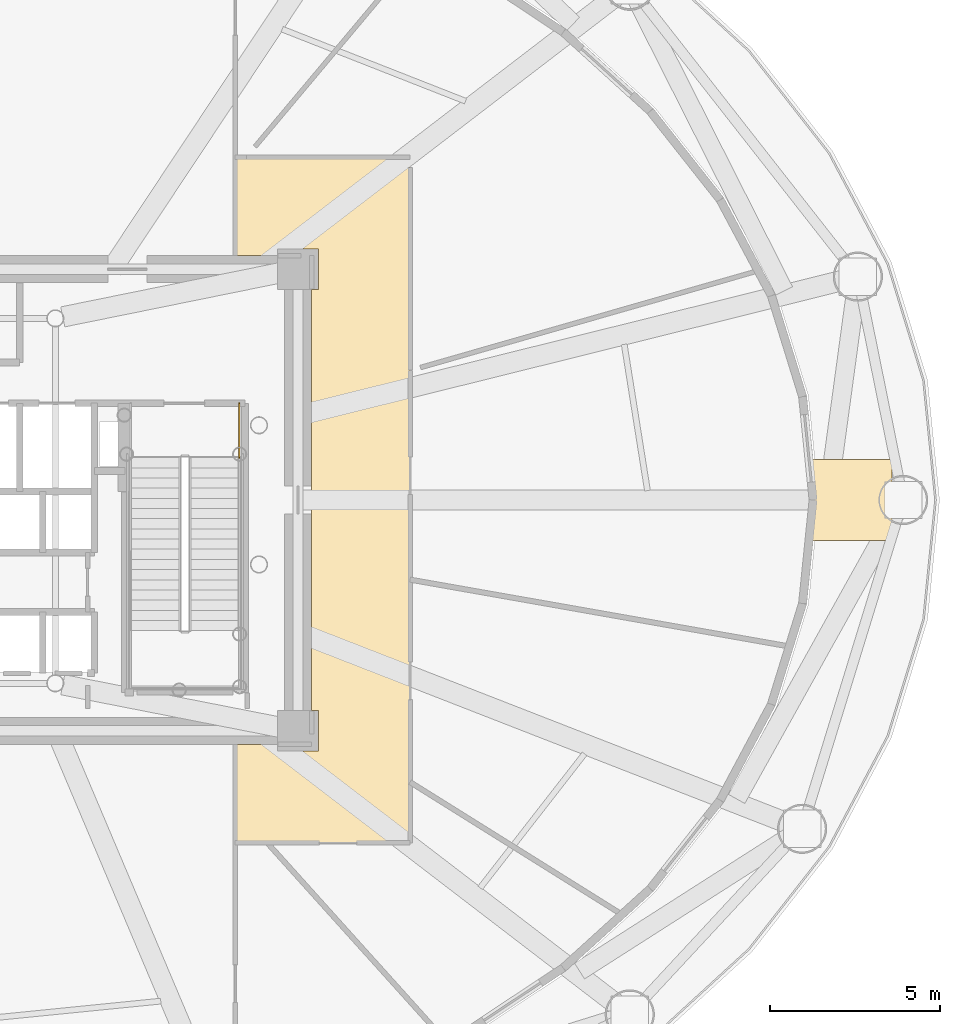
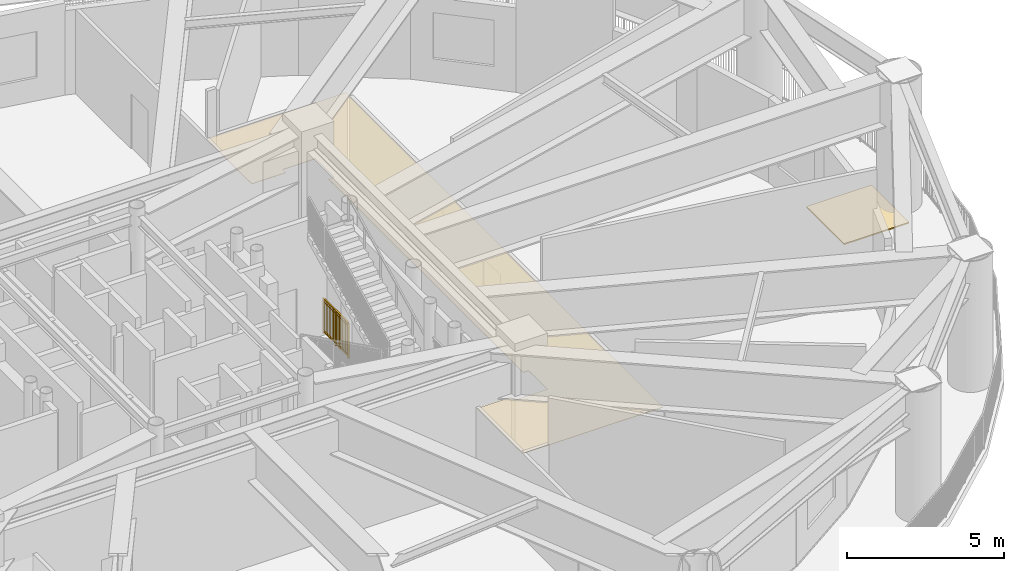
# One storey, part 15 of 15: 2 coverings, 1 railing.
"""IFC4 building model written with IfcOpenShell, lengths in metres."""

from ifc_helpers import new_model, si_unit, direction, frame, origin, origin_2d, place, context, subcontext, project, spatial, polyline, rectangle, outline, extrude, source, transform, mapped, material, layer, layer_set, type_object, element, save


model = new_model("IFC4")

# Units and contexts
model_context = context("Model", 3, precision=1e-05, world=origin(), true_north=direction((0.0, 1.0)))
body_context = subcontext(model_context, "Body", "Model", "MODEL_VIEW")
ifc_project = project(units=[si_unit("LENGTHUNIT", "METRE"), si_unit("AREAUNIT", "SQUARE_METRE"), si_unit("VOLUMEUNIT", "CUBIC_METRE"), si_unit("PLANEANGLEUNIT", "RADIAN"), si_unit("MASSUNIT", "GRAM", prefix="KILO")], contexts=[model_context])

# Site, building, storey
site_placement = place(None, origin())
site = spatial("IfcSite", under=ifc_project, at=site_placement, CompositionType="ELEMENT")
building_placement = place(site_placement, origin())
building = spatial("IfcBuilding", under=site, at=building_placement, Name="Linh Dai School and Residence Tower", CompositionType="ELEMENT")
storey_placement = place(building_placement, frame((0.0, 0.0, 145.949951171875)))
storey = spatial("IfcBuildingStorey", under=building, at=storey_placement, Name="L35", CompositionType="ELEMENT", Elevation=145.949951171875)

# Coverings
ifc_material_1 = material(Name="Mineral Fibre Acoustic Suspended Ceiling", Category="masonry")
ifc_layer_1 = layer(ifc_material_1, 0.02001953125)
ifc_layer_set_1 = layer_set([ifc_layer_1], Name="Mineral Fibre Acoustic Suspended Ceiling")
covering_type_1 = type_object("IfcCoveringType", Name="COV-CEIL-AC-20", PredefinedType="CEILING", material=ifc_layer_set_1)
covering_1_placement = place(storey_placement, frame((0.0, 0.0, 3.199951171875)))
element("IfcCovering", 1, at=covering_1_placement, inside=storey, type_object=covering_type_1, Name="L35 Plant and Refuge Access Corridor East Suspended Ceiling", PredefinedType="CEILING", context=body_context, shape_type="SweptSolid", body=[
    extrude(outline(polyline([(44.14990234375, 19.800048828125), (45.39990234375, 19.800048828125), (45.39990234375, 19.60009765625), (46.60009765625, 19.60009765625), (46.60009765625, 20.800048828125), (46.39990234375, 20.800048828125), (46.39990234375, 33.199951171875), (46.60009765625, 33.199951171875), (46.60009765625, 34.39990234375), (45.39990234375, 34.39990234375), (45.39990234375, 34.199951171875), (44.14990234375, 34.199951171875), (44.14990234375, 37.10009765625), (49.300048828125, 37.10009765625), (49.300048828125, 16.89990234375), (44.14990234375, 16.89990234375), (44.14990234375, 19.800048828125)])), origin(), (0.0, 0.0, 1.0), 0.02001953125),
])
ifc_material_2 = material(Name="TPO Insulated Waterproofing Roof Membrane", Category="masonry")
ifc_layer_2 = layer(ifc_material_2, 0.044921875)
ifc_layer_set_2 = layer_set([ifc_layer_2], Name="TPO Insulated Waterproofing Roof Membrane")
covering_type_2 = type_object("IfcCoveringType", Name="COV-ROOF-MEM-45", PredefinedType="ROOFING", material=ifc_layer_set_2)
covering_2_placement = place(storey_placement, origin())
element("IfcCovering", 2, at=covering_2_placement, inside=storey, type_object=covering_type_2, Name="L35 Deck Waterproofing Membrane Zone", PredefinedType="ROOFING", context=body_context, shape_type="SweptSolid", body=[
    extrude(outline(polyline([(61.10009765625, 25.800048828125), (63.5, 25.800048828125), (63.5, 28.199951171875), (61.10009765625, 28.199951171875), (61.10009765625, 25.800048828125)])), origin(), (0.0, 0.0, 1.0), 0.045166015625),
])

# Railing
ifc_material_3 = material(Name="Structural Steel S355JR", Category="steel")
railing_type = type_object("IfcRailingType", Name="RL-ST-GUARD-1400", PredefinedType="GUARDRAIL", material=ifc_material_3)
shared_shape = source(origin(), body_context, "Body", "SweptSolid", [
    extrude(rectangle(XDim=0.048095703125, YDim=0.048095703125, at=origin_2d()), frame((0.0, 0.0, 1.3759765625), z_axis=(0.0, -1.0, 0.0), x_axis=(1.0, 0.0, 0.0)), (0.0, 0.0, 1.0), 1.60009765625),
    extrude(rectangle(XDim=0.048095703125, YDim=0.048095703125, at=origin_2d()), frame((0.0, 0.0, 0.10009765625), z_axis=(0.0, -1.0, 0.0), x_axis=(1.0, 0.0, 0.0)), (0.0, 0.0, 1.0), 1.60009765625),
    extrude(rectangle(XDim=0.030029296875, YDim=0.030029296875, at=origin_2d()), frame((0.0, 0.0, 1.239990234375), z_axis=(0.0, -1.0, 0.0), x_axis=(1.0, 0.0, 0.0)), (0.0, 0.0, 1.0), 1.60009765625),
    extrude(rectangle(XDim=0.02001953125, YDim=0.02001953125, at=origin_2d()), frame((0.0, -0.09423828125, 0.10009765625)), (0.0, 0.0, 1.0), 1.251708984375),
    extrude(rectangle(XDim=0.02001953125, YDim=0.02001953125, at=origin_2d()), frame((0.0, -0.188232421875, 0.10009765625)), (0.0, 0.0, 1.0), 1.251708984375),
    extrude(rectangle(XDim=0.02001953125, YDim=0.02001953125, at=origin_2d()), frame((0.0, -0.282470703125, 0.10009765625)), (0.0, 0.0, 1.0), 1.251708984375),
    extrude(rectangle(XDim=0.02001953125, YDim=0.02001953125, at=origin_2d()), frame((0.0, -0.37646484375, 0.10009765625)), (0.0, 0.0, 1.0), 1.251708984375),
    extrude(rectangle(XDim=0.02001953125, YDim=0.02001953125, at=origin_2d()), frame((0.0, -0.470703125, 0.10009765625)), (0.0, 0.0, 1.0), 1.251708984375),
    extrude(rectangle(XDim=0.02001953125, YDim=0.02001953125, at=origin_2d()), frame((0.0, -0.564697265625, 0.10009765625)), (0.0, 0.0, 1.0), 1.251708984375),
    extrude(rectangle(XDim=0.02001953125, YDim=0.02001953125, at=origin_2d()), frame((0.0, -0.658935546875, 0.10009765625)), (0.0, 0.0, 1.0), 1.251708984375),
    extrude(rectangle(XDim=0.02001953125, YDim=0.02001953125, at=origin_2d()), frame((0.0, -0.7529296875, 0.10009765625)), (0.0, 0.0, 1.0), 1.251708984375),
    extrude(rectangle(XDim=0.02001953125, YDim=0.02001953125, at=origin_2d()), frame((0.0, -0.84716796875, 0.10009765625)), (0.0, 0.0, 1.0), 1.251708984375),
    extrude(rectangle(XDim=0.02001953125, YDim=0.02001953125, at=origin_2d()), frame((0.0, -0.941162109375, 0.10009765625)), (0.0, 0.0, 1.0), 1.251708984375),
    extrude(rectangle(XDim=0.02001953125, YDim=0.02001953125, at=origin_2d()), frame((0.0, -1.035400390625, 0.10009765625)), (0.0, 0.0, 1.0), 1.251708984375),
    extrude(rectangle(XDim=0.02001953125, YDim=0.02001953125, at=origin_2d()), frame((0.0, -1.12939453125, 0.10009765625)), (0.0, 0.0, 1.0), 1.251708984375),
    extrude(rectangle(XDim=0.02001953125, YDim=0.02001953125, at=origin_2d()), frame((0.0, -1.2236328125, 0.10009765625)), (0.0, 0.0, 1.0), 1.251708984375),
    extrude(rectangle(XDim=0.02001953125, YDim=0.02001953125, at=origin_2d()), frame((0.0, -1.317626953125, 0.10009765625)), (0.0, 0.0, 1.0), 1.251708984375),
    extrude(rectangle(XDim=0.02001953125, YDim=0.02001953125, at=origin_2d()), frame((0.0, -1.411865234375, 0.10009765625)), (0.0, 0.0, 1.0), 1.251708984375),
    extrude(rectangle(XDim=0.02001953125, YDim=0.02001953125, at=origin_2d()), frame((0.0, -1.505859375, 0.10009765625)), (0.0, 0.0, 1.0), 1.251708984375),
    extrude(rectangle(XDim=0.0419921875, YDim=0.0419921875, at=origin_2d()), origin(), (0.0, 0.0, 1.0), 1.3759765625),
    extrude(rectangle(XDim=0.0419921875, YDim=0.0419921875, at=origin_2d()), frame((0.0, -0.800048828125, 0.0)), (0.0, 0.0, 1.0), 1.3759765625),
    extrude(rectangle(XDim=0.0419921875, YDim=0.0419921875, at=origin_2d()), frame((0.0, -1.60009765625, 0.0)), (0.0, 0.0, 1.0), 1.3759765625),
])
railing_placement = place(storey_placement, frame((44.27001953125, 29.85009765625, 0.0)))
element("IfcRailing", 3, at=railing_placement, inside=storey, type_object=railing_type, Name="L35 ST2 stair guard 9", PredefinedType="GUARDRAIL", context=body_context, shape_type="MappedRepresentation", body=[
    mapped(shared_shape, transform((0.0, 0.0, 0.0), x_axis=(1.0, 0.0, 0.0), y_axis=(0.0, 1.0, 0.0), z_axis=(0.0, 0.0, 1.0), scale=1.0)),
])

save(model, "model.ifc")
